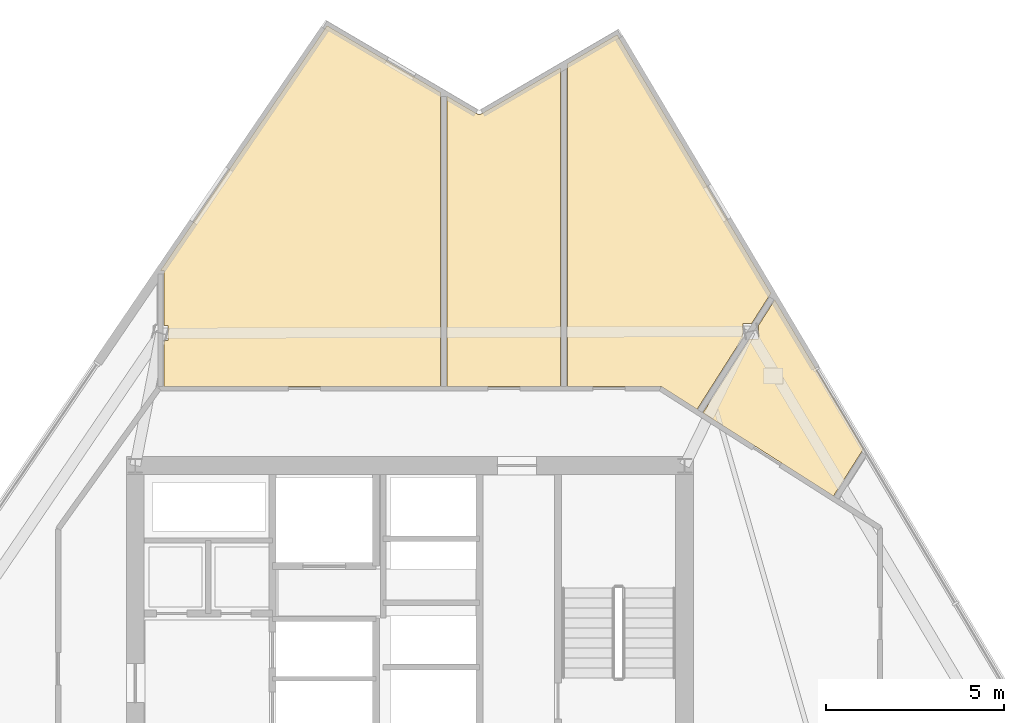
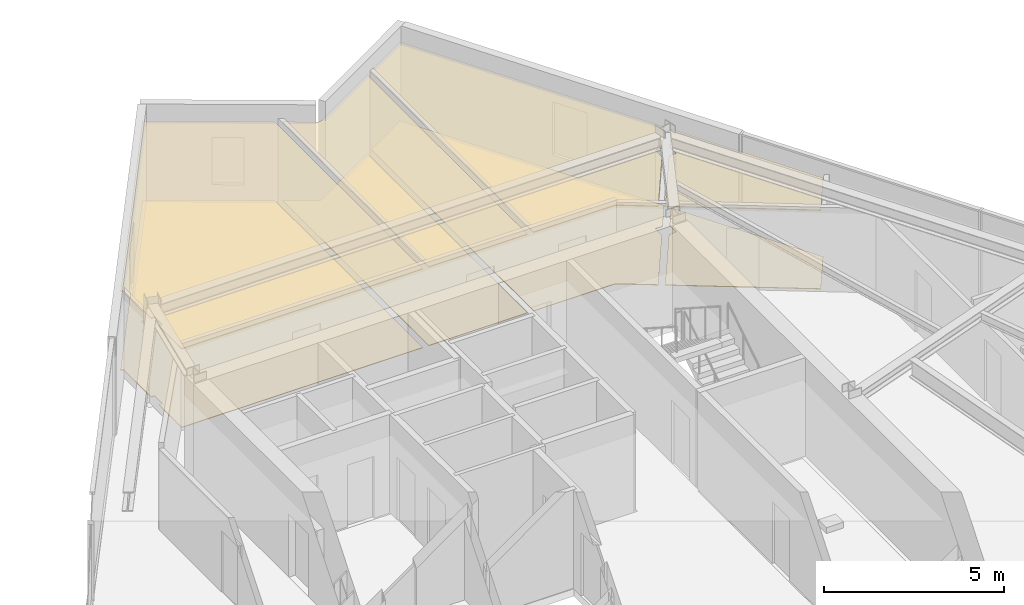
# One storey, part 14 of 15: 8 coverings.
"""IFC4 building model written with IfcOpenShell, lengths in metres."""

from ifc_helpers import new_model, si_unit, direction, frame, origin, place, context, subcontext, project, spatial, polyline, outline, extrude, material, layer, layer_set, type_object, element, save


model = new_model("IFC4")

# Units and contexts
model_context = context("Model", 3, precision=1e-05, world=origin(), true_north=direction((0.0, 1.0)))
body_context = subcontext(model_context, "Body", "Model", "MODEL_VIEW")
ifc_project = project(units=[si_unit("LENGTHUNIT", "METRE"), si_unit("AREAUNIT", "SQUARE_METRE"), si_unit("VOLUMEUNIT", "CUBIC_METRE"), si_unit("PLANEANGLEUNIT", "RADIAN"), si_unit("MASSUNIT", "GRAM", prefix="KILO")], contexts=[model_context])

# Site, building, storey
site_placement = place(None, origin())
site = spatial("IfcSite", under=ifc_project, at=site_placement, CompositionType="ELEMENT")
building_placement = place(site_placement, origin())
building = spatial("IfcBuilding", under=site, at=building_placement, Name="Savorim Split Tower", CompositionType="ELEMENT")
storey_placement = place(building_placement, frame((0.0, 0.0, 142.199951171875)))
storey = spatial("IfcBuildingStorey", under=building, at=storey_placement, Name="L37", CompositionType="ELEMENT", Elevation=142.199951171875)

# Coverings
ifc_material_1 = material(Name="Mineral Fibre Acoustic Ceiling")
ifc_layer_1 = layer(ifc_material_1, 0.02490234375)
ifc_layer_set_1 = layer_set([ifc_layer_1], Name="COV-CEIL-25")
covering_type_1 = type_object("IfcCoveringType", Name="COV-CEIL-25", PredefinedType="CEILING", material=ifc_layer_set_1)
covering_1_placement = place(storey_placement, frame((0.0, 0.0, 2.670166015625)))
element("IfcCovering", 1, at=covering_1_placement, inside=storey, type_object=covering_type_1, Name="L37 Shared Kitchen Acoustic Ceiling", PredefinedType="CEILING", context=body_context, shape_type="SweptSolid", body=[
    extrude(outline(polyline([(9.531005859375, 13.74853515625), (8.212158203125, 11.6748046875), (8.212158203125, 11.6748046875), (11.87451171875, 9.34521484375), (12.714599609375, 10.665771484375), (10.22900390625, 14.845703125), (9.766357421875, 14.118408203125), (9.766357421875, 13.74853515625), (9.531005859375, 13.74853515625)])), origin(), (0.0, 0.0, 1.0), 0.02490234375),
])
covering_2_placement = place(storey_placement, frame((0.0, 0.0, 2.670166015625)))
element("IfcCovering", 2, at=covering_2_placement, inside=storey, type_object=covering_type_1, Name="L37 Quiet Study Room Acoustic Ceiling", PredefinedType="CEILING", context=body_context, shape_type="SweptSolid", body=[
    extrude(outline(polyline([(10.115234375, 15.02099609375), (10.13037109375, 15.011474609375), (5.81005859375, 22.27734375), (4.41259765625, 21.462890625), (4.41259765625, 12.419921875), (7.0, 12.419921875), (7.01318359375, 12.41943359375), (7.0263671875, 12.41748046875), (7.0390625, 12.414306640625), (7.051513671875, 12.41015625), (7.063720703125, 12.40478515625), (7.0751953125, 12.398193359375), (8.0517578125, 11.77685546875), (9.34228515625, 13.805908203125), (9.34228515625, 14.175537109375), (9.577392578125, 14.175537109375), (10.064208984375, 14.94091796875), (10.115234375, 15.02099609375)])), origin(), (0.0, 0.0, 1.0), 0.02490234375),
])
covering_3_placement = place(storey_placement, frame((0.0, 0.0, 2.670166015625)))
element("IfcCovering", 3, at=covering_3_placement, inside=storey, type_object=covering_type_1, Name="L37 Quiet Study Room Acoustic Ceiling", PredefinedType="CEILING", context=body_context, shape_type="SweptSolid", body=[
    extrude(outline(polyline([(1.90380859375, 20.049560546875), (1.89306640625, 20.053955078125), (1.8828125, 20.059326171875), (1.04345703125, 20.552490234375), (1.04345703125, 12.419921875), (4.22265625, 12.419921875), (4.22265625, 21.35205078125), (2.00390625, 20.05908203125), (1.993896484375, 20.0537109375), (1.983154296875, 20.049560546875), (1.971923828125, 20.046142578125), (1.960693359375, 20.0439453125), (1.94921875, 20.04296875), (1.9375, 20.04296875), (1.926025390625, 20.044189453125), (1.914794921875, 20.04638671875), (1.90380859375, 20.049560546875)])), origin(), (0.0, 0.0, 1.0), 0.02490234375),
])
covering_4_placement = place(storey_placement, frame((0.0, 0.0, 2.670166015625)))
element("IfcCovering", 4, at=covering_4_placement, inside=storey, type_object=covering_type_1, Name="L37 Co-Working Commons Acoustic Ceiling", PredefinedType="CEILING", context=body_context, shape_type="SweptSolid", body=[
    extrude(outline(polyline([(-6.89892578125, 12.419921875), (0.853515625, 12.419921875), (0.853515625, 20.664306640625), (-2.322021484375, 22.530517578125), (-6.989990234375, 15.6689453125), (-6.89892578125, 15.6689453125), (-6.89892578125, 14.126708984375), (-6.781982421875, 14.126708984375), (-6.781982421875, 13.69970703125), (-6.89892578125, 13.69970703125), (-6.89892578125, 12.419921875)])), origin(), (0.0, 0.0, 1.0), 0.02490234375),
])
ifc_material_2 = material(Name="Porcelain Stoneware Flooring", Category="masonry")
ifc_layer_2 = layer(ifc_material_2, 0.02001953125)
ifc_layer_set_2 = layer_set([ifc_layer_2], Name="COV-FLOR-20")
covering_type_2 = type_object("IfcCoveringType", Name="COV-FLOR-20", PredefinedType="FLOORING", material=ifc_layer_set_2)
covering_5_placement = place(storey_placement, origin())
element("IfcCovering", 5, at=covering_5_placement, inside=storey, type_object=covering_type_2, Name="L37 Shared Kitchen Porcelain Flooring", PredefinedType="FLOORING", context=body_context, shape_type="SweptSolid", body=[
    extrude(outline(polyline([(9.531005859375, 13.74853515625), (8.212158203125, 11.6748046875), (8.212158203125, 11.6748046875), (11.87451171875, 9.34521484375), (12.714599609375, 10.665771484375), (10.22900390625, 14.845703125), (9.766357421875, 14.118408203125), (9.766357421875, 13.74853515625), (9.531005859375, 13.74853515625)])), origin(), (0.0, 0.0, 1.0), 0.02001953125),
])
covering_6_placement = place(storey_placement, origin())
element("IfcCovering", 6, at=covering_6_placement, inside=storey, type_object=covering_type_2, Name="L37 Quiet Study Room Porcelain Flooring", PredefinedType="FLOORING", context=body_context, shape_type="SweptSolid", body=[
    extrude(outline(polyline([(10.115234375, 15.02099609375), (10.13037109375, 15.011474609375), (5.81005859375, 22.27734375), (4.41259765625, 21.462890625), (4.41259765625, 12.419921875), (7.0, 12.419921875), (7.01318359375, 12.41943359375), (7.0263671875, 12.41748046875), (7.0390625, 12.414306640625), (7.051513671875, 12.41015625), (7.063720703125, 12.40478515625), (7.0751953125, 12.398193359375), (8.0517578125, 11.77685546875), (9.34228515625, 13.805908203125), (9.34228515625, 14.175537109375), (9.577392578125, 14.175537109375), (10.064208984375, 14.94091796875), (10.115234375, 15.02099609375)])), origin(), (0.0, 0.0, 1.0), 0.02001953125),
])
covering_7_placement = place(storey_placement, origin())
element("IfcCovering", 7, at=covering_7_placement, inside=storey, type_object=covering_type_2, Name="L37 Quiet Study Room Porcelain Flooring", PredefinedType="FLOORING", context=body_context, shape_type="SweptSolid", body=[
    extrude(outline(polyline([(1.90380859375, 20.049560546875), (1.89306640625, 20.053955078125), (1.8828125, 20.059326171875), (1.04345703125, 20.552490234375), (1.04345703125, 12.419921875), (4.22265625, 12.419921875), (4.22265625, 21.35205078125), (2.00390625, 20.05908203125), (1.993896484375, 20.0537109375), (1.983154296875, 20.049560546875), (1.971923828125, 20.046142578125), (1.960693359375, 20.0439453125), (1.94921875, 20.04296875), (1.9375, 20.04296875), (1.926025390625, 20.044189453125), (1.914794921875, 20.04638671875), (1.90380859375, 20.049560546875)])), origin(), (0.0, 0.0, 1.0), 0.02001953125),
])
covering_8_placement = place(storey_placement, origin())
element("IfcCovering", 8, at=covering_8_placement, inside=storey, type_object=covering_type_2, Name="L37 Co-Working Commons Porcelain Flooring", PredefinedType="FLOORING", context=body_context, shape_type="SweptSolid", body=[
    extrude(outline(polyline([(-6.89892578125, 12.419921875), (0.853515625, 12.419921875), (0.853515625, 20.664306640625), (-2.322021484375, 22.530517578125), (-6.989990234375, 15.6689453125), (-6.89892578125, 15.6689453125), (-6.89892578125, 14.126708984375), (-6.781982421875, 14.126708984375), (-6.781982421875, 13.69970703125), (-6.89892578125, 13.69970703125), (-6.89892578125, 12.419921875)])), origin(), (0.0, 0.0, 1.0), 0.02001953125),
])

save(model, "model.ifc")
